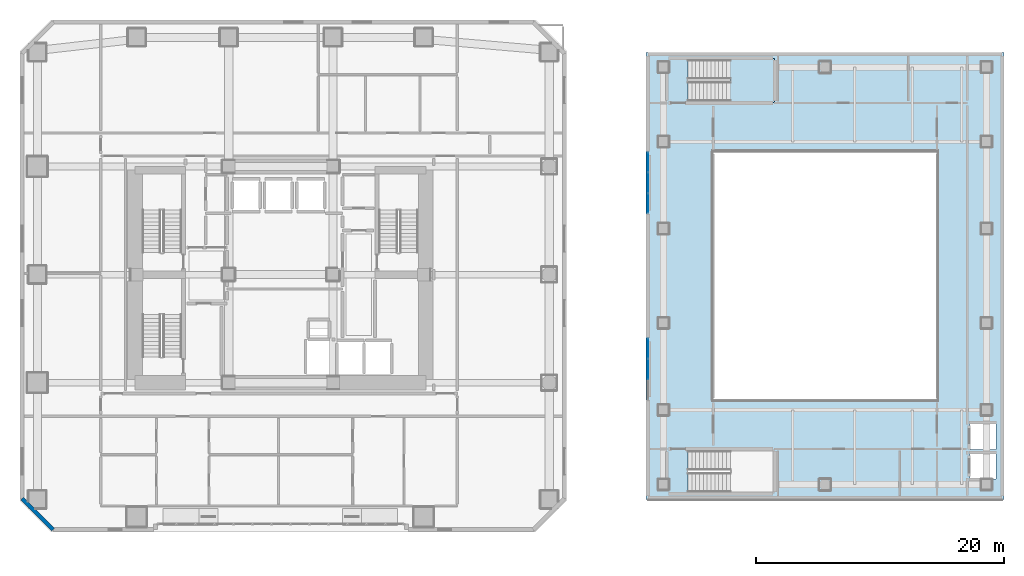
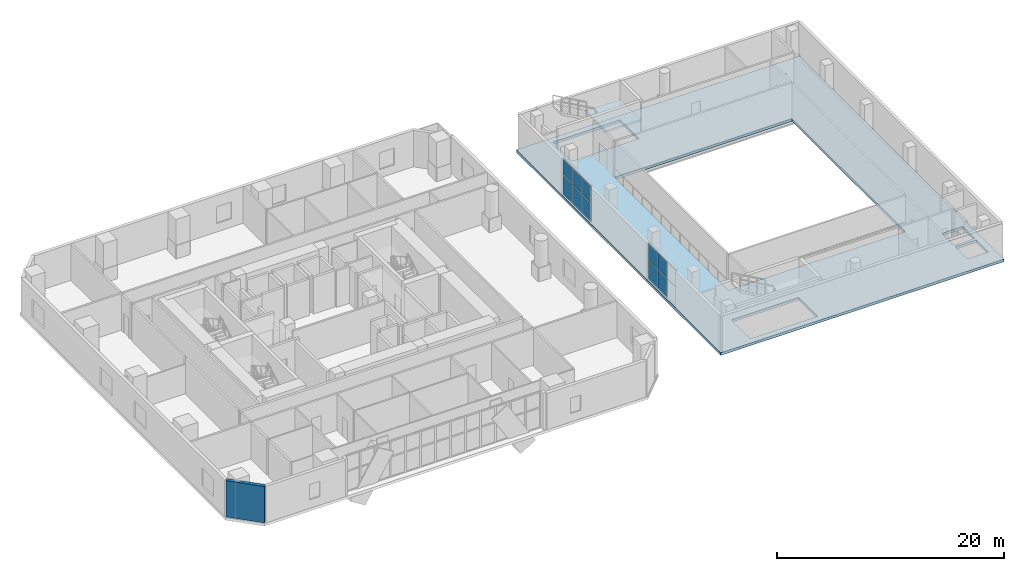
# One storey, part 10 of 20: 10 plates, 2 slabs, 1 wall, 3 elements without a shape of their own.
"""IFC4 building model written with IfcOpenShell, lengths in metres."""

from ifc_helpers import new_model, si_unit, direction, frame, frame_2d, origin, origin_2d, place, context, subcontext, project, spatial, polyline, rectangle, outline, extrude, material, layer, layer_set, type_object, element, aggregate, save


model = new_model("IFC4")

# Units and contexts
model_context = context("Model", 3, precision=1e-05, world=origin(), true_north=direction((0.0, 1.0)))
body_context = subcontext(model_context, "Body", "Model", "MODEL_VIEW")
ifc_project = project(units=[si_unit("LENGTHUNIT", "METRE"), si_unit("AREAUNIT", "SQUARE_METRE"), si_unit("VOLUMEUNIT", "CUBIC_METRE"), si_unit("PLANEANGLEUNIT", "RADIAN"), si_unit("MASSUNIT", "GRAM", prefix="KILO")], contexts=[model_context])

# Site, building, storey
site_placement = place(None, origin())
site = spatial("IfcSite", under=ifc_project, at=site_placement, CompositionType="ELEMENT")
building_placement = place(site_placement, origin())
building = spatial("IfcBuilding", under=site, at=building_placement, Name="Solanera Arch Residences", CompositionType="ELEMENT")
storey_placement = place(building_placement, frame((0.0, 0.0, 9.39990234375)))
storey = spatial("IfcBuildingStorey", under=building, at=storey_placement, Name="L02", CompositionType="ELEMENT", Elevation=9.39990234375)

# Stair, slab
ifc_material_1 = material(Name="Concrete C40/50 (f'c = 45 MPa)", Category="concrete")
stair_type = type_object("IfcStairType", Name="Arena Dogleg Exit Stair 1560", PredefinedType="HALF_TURN_STAIR", material=ifc_material_1)
stair_placement = place(storey_placement, origin())
stair = element("IfcStair", 1, at=stair_placement, inside=storey, type_object=stair_type, Name="L02 Sports Hall North Exit Stair", PredefinedType="HALF_TURN_STAIR")
ifc_material_2 = material(Name="Concrete C40/50 (f'c = 45 MPa)", Category="concrete")
ifc_layer_1 = layer(ifc_material_2, 0.199951171875)
ifc_layer_set_1 = layer_set([ifc_layer_1], Name="Concrete C40/50 (f'c = 45 MPa)")
slab_type_1 = type_object("IfcSlabType", Name="Stair Half-Landing Slab 200", PredefinedType="LANDING", material=ifc_layer_set_1)
slab_1_placement = place(storey_placement, frame((0.0, 0.0, 1.900146484375)))
slab_1 = element("IfcSlab", 2, at=slab_1_placement, type_object=slab_type_1, Name="ST-H2 landing 1", PredefinedType="LANDING", context=body_context, shape_type="SweptSolid", body=[
    extrude(outline(polyline([(61.159912109375, 44.56005859375), (64.719970703125, 44.56005859375), (64.719970703125, 48.1201171875), (61.159912109375, 48.1201171875), (61.159912109375, 44.56005859375)])), origin(), (0.0, 0.0, 1.0), 0.199951171875),
])
aggregate(stair, [slab_1])

# Slab
ifc_material_3 = material(Name="Concrete C40/50 (f'c = 45 MPa)", Category="concrete")
ifc_layer_2 = layer(ifc_material_3, 0.280029296875)
ifc_layer_set_2 = layer_set([ifc_layer_2], Name="Concrete C40/50 (f'c = 45 MPa)")
slab_type_2 = type_object("IfcSlabType", Name="Suspended Floor Slab Post-Tensioned 280", PredefinedType="FLOOR", material=ifc_layer_set_2)
slab_2_placement = place(storey_placement, frame((0.0, 0.0, -0.27978515625)))
element("IfcSlab", 3, at=slab_2_placement, inside=storey, type_object=slab_type_2, Name="L02 Civic Multi-Sports Hall Spectator Concourse Ring Slab", PredefinedType="FLOOR", context=body_context, shape_type="SweptSolid", body=[
    extrude(outline(polyline([(54.39990234375, 12.60009765625), (83.199951171875, 12.60009765625), (83.199951171875, 48.60009765625), (54.39990234375, 48.60009765625), (54.39990234375, 12.60009765625)]), holes=[polyline([(57.762939453125, 16.52001953125), (64.60009765625, 16.52001953125), (64.60009765625, 13.199951171875), (57.762939453125, 13.199951171875), (57.762939453125, 16.52001953125)]), polyline([(57.762939453125, 48.0), (64.60009765625, 48.0), (64.60009765625, 44.679931640625), (57.762939453125, 44.679931640625), (57.762939453125, 48.0)]), polyline([(80.449951171875, 16.35009765625), (82.550048828125, 16.35009765625), (82.550048828125, 14.25), (80.449951171875, 14.25), (80.449951171875, 16.35009765625)]), polyline([(80.449951171875, 18.75), (82.550048828125, 18.75), (82.550048828125, 16.64990234375), (80.449951171875, 16.64990234375), (80.449951171875, 18.75)]), polyline([(59.800048828125, 40.60009765625), (77.800048828125, 40.60009765625), (77.800048828125, 20.60009765625), (59.800048828125, 20.60009765625), (59.800048828125, 40.60009765625)])]), origin(), (0.0, 0.0, 1.0), 0.27978515625),
])

# Curtain wall, plates
ifc_material_4 = material(Name="Anodised Aluminium Alloy 6063-T6", Category="aluminium")
ifc_layer_3 = layer(ifc_material_4, 0.159912109375)
ifc_layer_set_3 = layer_set([ifc_layer_3], Name="Anodised Aluminium Alloy 6063-T6")
curtain_wall_type = type_object("IfcCurtainWallType", Name="CW-3 Sports Hall Foyer Curtain Wall", PredefinedType="USERDEFINED", material=ifc_layer_set_3)
curtain_wall_1_placement = place(storey_placement, origin())
curtain_wall_1 = element("IfcCurtainWall", 4, at=curtain_wall_1_placement, inside=storey, type_object=curtain_wall_type, Name="L02 Sports Hall Foyer Curtain Wall 1", ObjectType="CURTAIN_WALL", PredefinedType="USERDEFINED")
ifc_material_5 = material(Name="Double Glazed Low-E Laminated Glass", Category="glass")
ifc_layer_4 = layer(ifc_material_5, 0.028076171875)
ifc_layer_set_4 = layer_set([ifc_layer_4], Name="Double Glazed Low-E Laminated Glass")
plate_type = type_object("IfcPlateType", Name="Vision Glazing Panel GL-28", PredefinedType="CURTAIN_PANEL", material=ifc_layer_set_4)
plate_1_placement = place(storey_placement, frame((54.550048828125, 23.10009765625, 0.070068359375), z_axis=(0.0, 0.0, 1.0), x_axis=(0.0, 1.0, 0.0)))
plate_1 = element("IfcPlate", 5, at=plate_1_placement, type_object=plate_type, Name="CW-3 panel 2.1", PredefinedType="CURTAIN_PANEL", context=body_context, shape_type="SweptSolid", body=[
    extrude(rectangle(XDim=1.5966796875, YDim=0.028076171875, at=origin_2d()), origin(), (0.0, 0.0, 1.0), 1.9951171875),
])
plate_2_placement = place(storey_placement, frame((54.550048828125, 23.10009765625, 2.13525390625), z_axis=(0.0, 0.0, 1.0), x_axis=(0.0, 1.0, 0.0)))
plate_2 = element("IfcPlate", 6, at=plate_2_placement, type_object=plate_type, Name="CW-3 panel 2.2", PredefinedType="CURTAIN_PANEL", context=body_context, shape_type="SweptSolid", body=[
    extrude(rectangle(XDim=1.5966796875, YDim=0.028076171875, at=origin_2d()), origin(), (0.0, 0.0, 1.0), 1.715087890625),
])
plate_3_placement = place(storey_placement, frame((54.550048828125, 24.749267578125, 0.070068359375), z_axis=(0.0, 0.0, 1.0), x_axis=(0.0, 1.0, 0.0)))
plate_3 = element("IfcPlate", 7, at=plate_3_placement, type_object=plate_type, Name="CW-3 panel 3.1", PredefinedType="CURTAIN_PANEL", context=body_context, shape_type="SweptSolid", body=[
    extrude(rectangle(XDim=1.561767578125, YDim=0.028076171875, at=origin_2d()), origin(), (0.0, 0.0, 1.0), 1.9951171875),
])
plate_4_placement = place(storey_placement, frame((54.550048828125, 24.749267578125, 2.13525390625), z_axis=(0.0, 0.0, 1.0), x_axis=(0.0, 1.0, 0.0)))
plate_4 = element("IfcPlate", 8, at=plate_4_placement, type_object=plate_type, Name="CW-3 panel 3.2", PredefinedType="CURTAIN_PANEL", context=body_context, shape_type="SweptSolid", body=[
    extrude(rectangle(XDim=1.561767578125, YDim=0.028076171875, at=origin_2d()), origin(), (0.0, 0.0, 1.0), 1.715087890625),
])
aggregate(curtain_wall_1, [plate_1, plate_2, plate_3, plate_4])

curtain_wall_2_placement = place(storey_placement, origin())
curtain_wall_2 = element("IfcCurtainWall", 9, at=curtain_wall_2_placement, inside=storey, type_object=curtain_wall_type, Name="L02 Sports Hall Foyer Curtain Wall 2", ObjectType="CURTAIN_WALL", PredefinedType="USERDEFINED")
plate_5_placement = place(storey_placement, frame((54.550048828125, 36.450927734375, 0.070068359375), z_axis=(0.0, 0.0, 1.0), x_axis=(0.0, 1.0, 0.0)))
plate_5 = element("IfcPlate", 10, at=plate_5_placement, type_object=plate_type, Name="CW-3 panel 1.1", PredefinedType="CURTAIN_PANEL", context=body_context, shape_type="SweptSolid", body=[
    extrude(rectangle(XDim=1.561767578125, YDim=0.028076171875, at=origin_2d()), origin(), (0.0, 0.0, 1.0), 1.9951171875),
])
plate_6_placement = place(storey_placement, frame((54.550048828125, 36.450927734375, 2.13525390625), z_axis=(0.0, 0.0, 1.0), x_axis=(0.0, 1.0, 0.0)))
plate_6 = element("IfcPlate", 11, at=plate_6_placement, type_object=plate_type, Name="CW-3 panel 1.2", PredefinedType="CURTAIN_PANEL", context=body_context, shape_type="SweptSolid", body=[
    extrude(rectangle(XDim=1.561767578125, YDim=0.028076171875, at=origin_2d()), origin(), (0.0, 0.0, 1.0), 1.715087890625),
])
plate_7_placement = place(storey_placement, frame((54.550048828125, 38.10009765625, 0.070068359375), z_axis=(0.0, 0.0, 1.0), x_axis=(0.0, 1.0, 0.0)))
plate_7 = element("IfcPlate", 12, at=plate_7_placement, type_object=plate_type, Name="CW-3 panel 2.1", PredefinedType="CURTAIN_PANEL", context=body_context, shape_type="SweptSolid", body=[
    extrude(rectangle(XDim=1.5966796875, YDim=0.028076171875, at=origin_2d()), origin(), (0.0, 0.0, 1.0), 1.9951171875),
])
plate_8_placement = place(storey_placement, frame((54.550048828125, 38.10009765625, 2.13525390625), z_axis=(0.0, 0.0, 1.0), x_axis=(0.0, 1.0, 0.0)))
plate_8 = element("IfcPlate", 13, at=plate_8_placement, type_object=plate_type, Name="CW-3 panel 2.2", PredefinedType="CURTAIN_PANEL", context=body_context, shape_type="SweptSolid", body=[
    extrude(rectangle(XDim=1.5966796875, YDim=0.028076171875, at=origin_2d()), origin(), (0.0, 0.0, 1.0), 1.715087890625),
])
plate_9_placement = place(storey_placement, frame((54.550048828125, 39.749267578125, 0.070068359375), z_axis=(0.0, 0.0, 1.0), x_axis=(0.0, 1.0, 0.0)))
plate_9 = element("IfcPlate", 14, at=plate_9_placement, type_object=plate_type, Name="CW-3 panel 3.1", PredefinedType="CURTAIN_PANEL", context=body_context, shape_type="SweptSolid", body=[
    extrude(rectangle(XDim=1.561767578125, YDim=0.028076171875, at=origin_2d()), origin(), (0.0, 0.0, 1.0), 1.9951171875),
])
plate_10_placement = place(storey_placement, frame((54.550048828125, 39.749267578125, 2.13525390625), z_axis=(0.0, 0.0, 1.0), x_axis=(0.0, 1.0, 0.0)))
plate_10 = element("IfcPlate", 15, at=plate_10_placement, type_object=plate_type, Name="CW-3 panel 3.2", PredefinedType="CURTAIN_PANEL", context=body_context, shape_type="SweptSolid", body=[
    extrude(rectangle(XDim=1.561767578125, YDim=0.028076171875, at=origin_2d()), origin(), (0.0, 0.0, 1.0), 1.715087890625),
])
aggregate(curtain_wall_2, [plate_5, plate_6, plate_7, plate_8, plate_9, plate_10])

# Wall
ifc_material_6 = material(Name="Precast Concrete C35/45", Category="concrete")
ifc_layer_5 = layer(ifc_material_6, 0.320068359375)
ifc_layer_set_5 = layer_set([ifc_layer_5], Name="Precast Concrete C35/45")
wall_type = type_object("IfcWallType", Name="Exterior Wall Precast Masonry-Frame 320", PredefinedType="STANDARD", material=ifc_layer_set_5)
wall_placement = place(storey_placement, frame((6.679931640625, 10.179931640625, 0.0), z_axis=(0.0, 0.0, 1.0), x_axis=(-0.707106781187, 0.707106781187, 0.0)))
element("IfcWall", 16, at=wall_placement, inside=storey, type_object=wall_type, Name="L02 Podium Precast Masonry-Frame Wall 8", PredefinedType="STANDARD", context=body_context, shape_type="SweptSolid", body=[
    extrude(rectangle(XDim=3.53564453125, YDim=0.320068359375, at=frame_2d((1.767822265625, 0.0))), origin(), (0.0, 0.0, 1.0), 3.920166015625),
])

save(model, "model.ifc")
